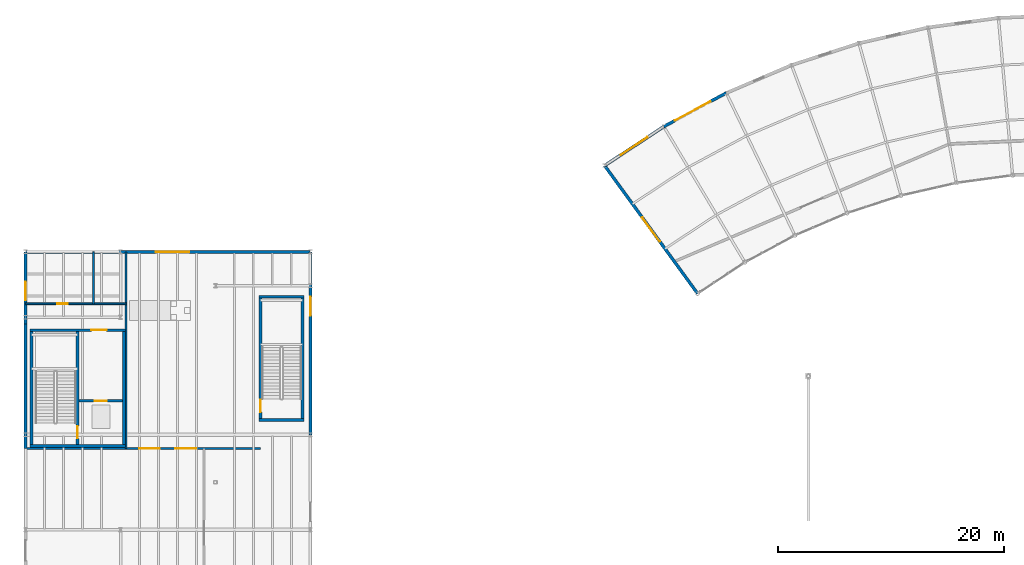
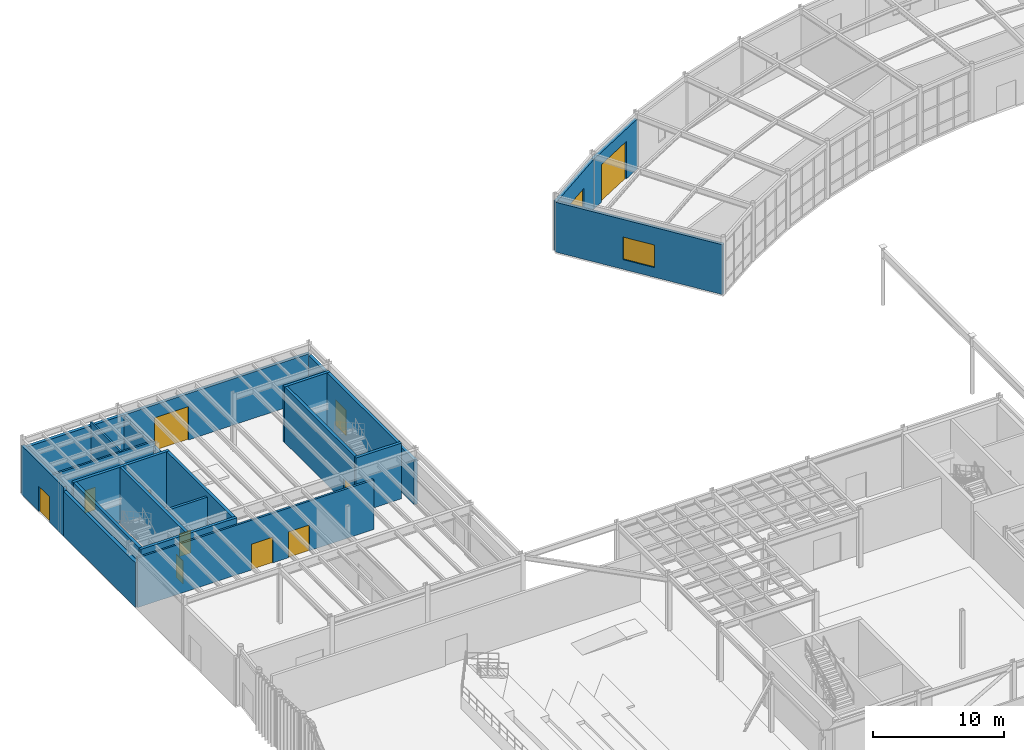
# One storey, part 67 of 87: 21 walls, 11 doors, 2 windows, 13 openings.
"""IFC4 building model written with IfcOpenShell, lengths in metres."""

from ifc_helpers import new_model, si_unit, direction, frame, frame_2d, origin, place, context, subcontext, project, spatial, rectangle, extrude, material, layer, layer_set, type_object, element, fill, save


model = new_model("IFC4")

# Units and contexts
model_context = context("Model", 3, precision=1e-05, world=origin(), true_north=direction((0.0, 1.0)))
body_context = subcontext(model_context, "Body", "Model", "MODEL_VIEW")
ifc_project = project(units=[si_unit("LENGTHUNIT", "METRE"), si_unit("AREAUNIT", "SQUARE_METRE"), si_unit("VOLUMEUNIT", "CUBIC_METRE"), si_unit("PLANEANGLEUNIT", "RADIAN"), si_unit("MASSUNIT", "GRAM", prefix="KILO")], contexts=[model_context])

# Site, building, storey
site_placement = place(None, origin())
site = spatial("IfcSite", under=ifc_project, at=site_placement, CompositionType="ELEMENT")
building_placement = place(site_placement, origin())
building = spatial("IfcBuilding", under=site, at=building_placement, Name="Selat Folded Stagehouse", CompositionType="ELEMENT")
storey_placement = place(building_placement, origin())
storey = spatial("IfcBuildingStorey", under=building, at=storey_placement, Name="L00", CompositionType="ELEMENT", Elevation=0.0)

# Wall, openings, doors
ifc_material_1 = material(Name="Concrete C40/50", Category="concrete")
ifc_layer_1 = layer(ifc_material_1, 0.179931640625)
ifc_layer_set_1 = layer_set([ifc_layer_1], Name="Concrete C40/50")
wall_type_1 = type_object("IfcWallType", Name="WAL-COMP-180", PredefinedType="STANDARD", material=ifc_layer_set_1)
wall_1_placement = place(storey_placement, frame((0.0, 69.60009765625, 0.0), z_axis=(0.0, 0.0, 1.0), x_axis=(1.0, 0.0, 0.0)))
wall_1 = element("IfcWall", 1, at=wall_1_placement, inside=storey, type_object=wall_type_1, Name="L00 interior partition wall 034", PredefinedType="STANDARD", context=body_context, shape_type="SweptSolid", body=[
    extrude(rectangle(XDim=20.780029296875, YDim=0.179931640625, at=frame_2d((10.39013671875, 0.0))), origin(), (0.0, 0.0, 1.0), 4.622314453125),
])
opening_1_placement = place(wall_1_placement, frame((10.032958984375, 0.0, 0.0)))
opening_1 = element("IfcOpeningElement", 2, at=opening_1_placement, cuts=wall_1, Name="Opening WD-02", PredefinedType="OPENING", context=body_context, shape_type="SweptSolid", body=[
    extrude(rectangle(XDim=1.85009765625, YDim=2.39990234375, at=frame_2d((0.925048828125, 1.199951171875))), frame((0.0, 0.099853515625, 0.0), z_axis=(0.0, -1.0, 0.0), x_axis=(1.0, 0.0, 0.0)), (0.0, 0.0, 1.0), 0.199951171875),
])
opening_2_placement = place(wall_1_placement, frame((13.2509765625, 0.0, 0.0)))
opening_2 = element("IfcOpeningElement", 3, at=opening_2_placement, cuts=wall_1, Name="Opening WD-02", PredefinedType="OPENING", context=body_context, shape_type="SweptSolid", body=[
    extrude(rectangle(XDim=1.85009765625, YDim=2.39990234375, at=frame_2d((0.925048828125, 1.199951171875))), frame((0.0, 0.099853515625, 0.0), z_axis=(0.0, -1.0, 0.0), x_axis=(1.0, 0.0, 0.0)), (0.0, 0.0, 1.0), 0.199951171875),
])
ifc_material_2 = material(Name="Wardrobe and props double door", Category="wood")
door_type_1 = type_object("IfcDoorType", Name="DOR-WK-1850", OperationType="NOTDEFINED", PredefinedType="DOOR", material=ifc_material_2)
door_1_placement = place(opening_1_placement, origin())
door_1 = element("IfcDoor", 4, at=door_1_placement, inside=storey, type_object=door_type_1, Name="L00 interior door IWAL-L00-034-1", OperationType="SINGLE_SWING_LEFT", OverallHeight=2.39990234375, OverallWidth=1.85009765625, PredefinedType="DOOR", context=body_context, shape_type="SweptSolid", body=[
    extrude(rectangle(XDim=1.85009765625, YDim=2.39990234375, at=frame_2d((0.925048828125, 1.199951171875))), frame((0.0, 0.02490234375, 0.0), z_axis=(0.0, -1.0, 0.0), x_axis=(1.0, 0.0, 0.0)), (0.0, 0.0, 1.0), 0.050048828125),
])
fill(opening_1, door_1)
door_2_placement = place(opening_2_placement, origin())
door_2 = element("IfcDoor", 5, at=door_2_placement, inside=storey, type_object=door_type_1, Name="L00 interior door IWAL-L00-034-2", OperationType="SINGLE_SWING_RIGHT", OverallHeight=2.39990234375, OverallWidth=1.85009765625, PredefinedType="DOOR", context=body_context, shape_type="SweptSolid", body=[
    extrude(rectangle(XDim=1.85009765625, YDim=2.39990234375, at=frame_2d((0.925048828125, 1.199951171875))), frame((0.0, 0.02490234375, 0.0), z_axis=(0.0, -1.0, 0.0), x_axis=(1.0, 0.0, 0.0)), (0.0, 0.0, 1.0), 0.050048828125),
])
fill(opening_2, door_2)

# Wall
wall_2_placement = place(storey_placement, frame((8.89990234375, 69.60009765625, 0.0), z_axis=(0.0, 0.0, 1.0), x_axis=(0.0, 1.0, 0.0)))
element("IfcWall", 6, at=wall_2_placement, inside=storey, type_object=wall_type_1, Name="L00 interior partition wall 035", PredefinedType="STANDARD", context=body_context, shape_type="SweptSolid", body=[
    extrude(rectangle(XDim=17.39990234375, YDim=0.179931640625, at=frame_2d((8.699951171875, 0.0))), origin(), (0.0, 0.0, 1.0), 4.15380859375),
])

# Wall, opening, door
ifc_layer_2 = layer(ifc_material_1, 0.215087890625)
ifc_layer_set_2 = layer_set([ifc_layer_2], Name="Concrete C40/50")
wall_type_2 = type_object("IfcWallType", Name="WAL-COMP-215", PredefinedType="STANDARD", material=ifc_layer_set_2)
wall_3_placement = place(storey_placement, frame((4.739990234375, 73.800048828125, 0.0), z_axis=(0.0, 0.0, 1.0), x_axis=(1.0, 0.0, 0.0)))
wall_3 = element("IfcWall", 7, at=wall_3_placement, inside=storey, type_object=wall_type_2, Name="L00 PL-04 lift shaft front wall", PredefinedType="STANDARD", context=body_context, shape_type="SweptSolid", body=[
    extrude(rectangle(XDim=3.81494140625, YDim=0.215087890625, at=frame_2d((1.907470703125, 0.0))), origin(), (0.0, 0.0, 1.0), 4.755615234375),
])
opening_3_placement = place(wall_3_placement, frame((1.382568359375, 0.0, 0.0)))
opening_3 = element("IfcOpeningElement", 8, at=opening_3_placement, cuts=wall_3, Name="Opening LD-03", PredefinedType="OPENING", context=body_context, shape_type="SweptSolid", body=[
    extrude(rectangle(XDim=1.050048828125, YDim=2.14990234375, at=frame_2d((0.52490234375, 1.074951171875))), frame((0.0, 0.117431640625, 0.0), z_axis=(0.0, -1.0, 0.0), x_axis=(1.0, 0.0, 0.0)), (0.0, 0.0, 1.0), 0.235107421875),
])
ifc_material_3 = material(Name="Passenger lift stainless sliding landing door", Category="wood")
door_type_2 = type_object("IfcDoorType", Name="DOR-LFT-1050", OperationType="NOTDEFINED", PredefinedType="DOOR", material=ifc_material_3)
door_3_placement = place(opening_3_placement, origin())
door_3 = element("IfcDoor", 9, at=door_3_placement, inside=storey, type_object=door_type_2, Name="L00 PL-04 lift sliding landing door", OperationType="SLIDING_TO_RIGHT", OverallHeight=2.14990234375, OverallWidth=1.050048828125, PredefinedType="DOOR", context=body_context, shape_type="SweptSolid", body=[
    extrude(rectangle(XDim=1.050048828125, YDim=2.14990234375, at=frame_2d((0.52490234375, 1.074951171875))), frame((0.0, 0.02490234375, 0.0), z_axis=(0.0, -1.0, 0.0), x_axis=(1.0, 0.0, 0.0)), (0.0, 0.0, 1.0), 0.050048828125),
])
fill(opening_3, door_3)

# Walls
ifc_material_4 = material(Name="Concrete C50/60", Category="concrete")
ifc_layer_3 = layer(ifc_material_4, 0.25)
ifc_layer_set_3 = layer_set([ifc_layer_3], Name="Concrete C50/60")
wall_type_3 = type_object("IfcWallType", Name="WAL-CORE-250", PredefinedType="SHEAR", material=ifc_layer_set_3)
for number, where, z_axis, x_axis, name in (
    (10, (24.64501953125, 72.1201171875, 0.0), (0.0, 0.0, 1.0), (-1.0, 0.0, 0.0), "L00 ST-07 south shaft wall"),
    (11, (20.655029296875, 83.02001953125, 0.0), (0.0, 0.0, 1.0), (1.0, 0.0, 0.0), "L00 ST-07 north shaft wall"),
):
    element("IfcWall", number, at=place(storey_placement, frame(where, z_axis=z_axis, x_axis=x_axis)), inside=storey, type_object=wall_type_3, Name=name, PredefinedType="SHEAR", context=body_context, shape_type="SweptSolid", body=[
        extrude(rectangle(XDim=3.989990234375, YDim=0.25, at=frame_2d((1.9951171875, 0.0))), origin(), (0.0, 0.0, 1.0), 5.179931640625),
    ])

# Wall, opening, door
wall_4_placement = place(storey_placement, frame((20.780029296875, 72.2451171875, 0.0), z_axis=(0.0, 0.0, 1.0), x_axis=(0.0, 1.0, 0.0)))
wall_4 = element("IfcWall", 12, at=wall_4_placement, inside=storey, type_object=wall_type_3, Name="L00 ST-07 west shaft wall", PredefinedType="SHEAR", context=body_context, shape_type="SweptSolid", body=[
    extrude(rectangle(XDim=10.64990234375, YDim=0.25, at=frame_2d((5.324951171875, 0.0))), origin(), (0.0, 0.0, 1.0), 5.179931640625),
])
opening_4_placement = place(wall_4_placement, frame((0.550048828125, 0.0, 0.0)))
opening_4 = element("IfcOpeningElement", 13, at=opening_4_placement, cuts=wall_4, Name="Opening FD-60", PredefinedType="OPENING", context=body_context, shape_type="SweptSolid", body=[
    extrude(rectangle(XDim=1.10009765625, YDim=2.14990234375, at=frame_2d((0.550048828125, 1.074951171875))), frame((0.0, 0.135009765625, 0.0), z_axis=(0.0, -1.0, 0.0), x_axis=(1.0, 0.0, 0.0)), (0.0, 0.0, 1.0), 0.27001953125),
])
ifc_material_5 = material(Name="Fire-rated timber core door", Category="wood")
door_type_3 = type_object("IfcDoorType", Name="DOR-FIRE-60", OperationType="NOTDEFINED", PredefinedType="DOOR", material=ifc_material_5)
door_4_placement = place(opening_4_placement, origin())
door_4 = element("IfcDoor", 14, at=door_4_placement, inside=storey, type_object=door_type_3, Name="L00 ST-07 stair door", OperationType="SINGLE_SWING_LEFT", OverallHeight=2.14990234375, OverallWidth=1.10009765625, PredefinedType="DOOR", context=body_context, shape_type="SweptSolid", body=[
    extrude(rectangle(XDim=1.10009765625, YDim=2.14990234375, at=frame_2d((0.550048828125, 1.074951171875))), frame((0.0, 0.02490234375, 0.0), z_axis=(0.0, -1.0, 0.0), x_axis=(1.0, 0.0, 0.0)), (0.0, 0.0, 1.0), 0.050048828125),
])
fill(opening_4, door_4)

# Walls
wall_5_placement = place(storey_placement, frame((24.52001953125, 82.89501953125, 0.0), z_axis=(0.0, 0.0, 1.0), x_axis=(0.0, -1.0, 0.0)))
element("IfcWall", 15, at=wall_5_placement, inside=storey, type_object=wall_type_3, Name="L00 ST-07 east shaft wall", PredefinedType="SHEAR", context=body_context, shape_type="SweptSolid", body=[
    extrude(rectangle(XDim=10.64990234375, YDim=0.25, at=frame_2d((5.324951171875, 0.0))), origin(), (0.0, 0.0, 1.0), 5.179931640625),
])
wall_6_placement = place(storey_placement, frame((8.824951171875, 69.800048828125, 0.0), z_axis=(0.0, 0.0, 1.0), x_axis=(-1.0, 0.0, 0.0)))
element("IfcWall", 16, at=wall_6_placement, inside=storey, type_object=wall_type_3, Name="L00 CR-5 south shear wall", PredefinedType="SHEAR", context=body_context, shape_type="SweptSolid", body=[
    extrude(rectangle(XDim=8.449951171875, YDim=0.25, at=frame_2d((4.22509765625, 0.0))), origin(), (0.0, 0.0, 1.0), 5.179931640625),
])

# Wall, opening, door
wall_7_placement = place(storey_placement, frame((0.375, 80.06005859375, 0.0), z_axis=(0.0, 0.0, 1.0), x_axis=(1.0, 0.0, 0.0)))
wall_7 = element("IfcWall", 17, at=wall_7_placement, inside=storey, type_object=wall_type_3, Name="L00 CR-5 north shear wall", PredefinedType="SHEAR", context=body_context, shape_type="SweptSolid", body=[
    extrude(rectangle(XDim=8.449951171875, YDim=0.25, at=frame_2d((4.22509765625, 0.0))), origin(), (0.0, 0.0, 1.0), 5.179931640625),
])
opening_5_placement = place(wall_7_placement, frame((5.449951171875, 0.0, 0.0)))
opening_5 = element("IfcOpeningElement", 18, at=opening_5_placement, cuts=wall_7, Name="Opening FD-60B", PredefinedType="OPENING", context=body_context, shape_type="SweptSolid", body=[
    extrude(rectangle(XDim=1.35009765625, YDim=2.14990234375, at=frame_2d((0.675048828125, 1.074951171875))), frame((0.0, 0.135009765625, 0.0), z_axis=(0.0, -1.0, 0.0), x_axis=(1.0, 0.0, 0.0)), (0.0, 0.0, 1.0), 0.27001953125),
])
ifc_material_6 = material(Name="Protected stair escape door", Category="wood")
door_type_4 = type_object("IfcDoorType", Name="DOR-STR-1350", OperationType="NOTDEFINED", PredefinedType="DOOR", material=ifc_material_6)
door_5_placement = place(opening_5_placement, origin())
door_5 = element("IfcDoor", 19, at=door_5_placement, inside=storey, type_object=door_type_4, Name="L00 CR-5 core lobby fire door", OperationType="SINGLE_SWING_RIGHT", OverallHeight=2.14990234375, OverallWidth=1.35009765625, PredefinedType="DOOR", context=body_context, shape_type="SweptSolid", body=[
    extrude(rectangle(XDim=1.35009765625, YDim=2.14990234375, at=frame_2d((0.675048828125, 1.074951171875))), frame((0.0, 0.02490234375, 0.0), z_axis=(0.0, -1.0, 0.0), x_axis=(1.0, 0.0, 0.0)), (0.0, 0.0, 1.0), 0.050048828125),
])
fill(opening_5, door_5)

# Walls
for number, where, z_axis, x_axis, name in (
    (20, (0.5, 69.925048828125, 0.0), (0.0, 0.0, 1.0), (0.0, 1.0, 0.0), "L00 CR-5 west shear wall"),
    (21, (8.699951171875, 79.93505859375, 0.0), (0.0, 0.0, 1.0), (0.0, -1.0, 0.0), "L00 CR-5 east shear wall"),
):
    element("IfcWall", number, at=place(storey_placement, frame(where, z_axis=z_axis, x_axis=x_axis)), inside=storey, type_object=wall_type_3, Name=name, PredefinedType="SHEAR", context=body_context, shape_type="SweptSolid", body=[
        extrude(rectangle(XDim=10.010009765625, YDim=0.25, at=frame_2d((5.0048828125, 0.0))), origin(), (0.0, 0.0, 1.0), 5.179931640625),
    ])

# Wall, opening, door
wall_8_placement = place(storey_placement, frame((4.580078125, 79.93505859375, 0.0), z_axis=(0.0, 0.0, 1.0), x_axis=(0.0, -1.0, 0.0)))
wall_8 = element("IfcWall", 22, at=wall_8_placement, inside=storey, type_object=wall_type_3, Name="L00 CR-5 internal core divider wall", PredefinedType="SHEAR", context=body_context, shape_type="SweptSolid", body=[
    extrude(rectangle(XDim=10.010009765625, YDim=0.25, at=frame_2d((5.0048828125, 0.0))), origin(), (0.0, 0.0, 1.0), 5.179931640625),
])
opening_6_placement = place(wall_8_placement, frame((8.360107421875, 0.0, 0.0)))
opening_6 = element("IfcOpeningElement", 23, at=opening_6_placement, cuts=wall_8, Name="Opening FD-60", PredefinedType="OPENING", context=body_context, shape_type="SweptSolid", body=[
    extrude(rectangle(XDim=1.10009765625, YDim=2.14990234375, at=frame_2d((0.550048828125, 1.074951171875))), frame((0.0, 0.135009765625, 0.0), z_axis=(0.0, -1.0, 0.0), x_axis=(1.0, 0.0, 0.0)), (0.0, 0.0, 1.0), 0.27001953125),
])
door_6_placement = place(opening_6_placement, origin())
door_6 = element("IfcDoor", 24, at=door_6_placement, inside=storey, type_object=door_type_3, Name="L00 CR-5 protected stair fire door", OperationType="SINGLE_SWING_LEFT", OverallHeight=2.14990234375, OverallWidth=1.10009765625, PredefinedType="DOOR", context=body_context, shape_type="SweptSolid", body=[
    extrude(rectangle(XDim=1.10009765625, YDim=2.14990234375, at=frame_2d((0.550048828125, 1.074951171875))), frame((0.0, 0.02490234375, 0.0), z_axis=(0.0, -1.0, 0.0), x_axis=(1.0, 0.0, 0.0)), (0.0, 0.0, 1.0), 0.050048828125),
])
fill(opening_6, door_6)

# Wall
ifc_material_7 = material(Name="Precast concrete C40/50", Category="concrete")
ifc_layer_4 = layer(ifc_material_7, 0.27490234375)
ifc_layer_set_4 = layer_set([ifc_layer_4], Name="Precast concrete C40/50")
wall_type_4 = type_object("IfcWallType", Name="WAL-EXT-275", PredefinedType="STANDARD", material=ifc_layer_set_4)
wall_9_placement = place(storey_placement, frame((0.0, 69.60009765625, 0.0), z_axis=(0.0, 0.0, 1.0), x_axis=(0.0, 1.0, 0.0)))
element("IfcWall", 25, at=wall_9_placement, inside=storey, type_object=wall_type_4, Name="L00 exterior facade wall EW-L00-V4W-2", PredefinedType="STANDARD", context=body_context, shape_type="SweptSolid", body=[
    extrude(rectangle(XDim=11.0, YDim=0.27490234375, at=frame_2d((5.5, 0.0))), origin(), (0.0, 0.0, 1.0), 4.15380859375),
])

# Wall, opening, door
wall_10_placement = place(storey_placement, frame((0.0, 80.60009765625, 0.0), z_axis=(0.0, 0.0, 1.0), x_axis=(0.0, 1.0, 0.0)))
wall_10 = element("IfcWall", 26, at=wall_10_placement, inside=storey, type_object=wall_type_4, Name="L00 exterior facade wall EW-L00-V4W-3", PredefinedType="STANDARD", context=body_context, shape_type="SweptSolid", body=[
    extrude(rectangle(XDim=6.39990234375, YDim=0.27490234375, at=frame_2d((3.199951171875, 0.0))), origin(), (0.0, 0.0, 1.0), 4.544921875),
])
opening_7_placement = place(wall_10_placement, frame((2.10009765625, 0.0, 0.0)))
opening_7 = element("IfcOpeningElement", 27, at=opening_7_placement, cuts=wall_10, Name="Opening ED-05", PredefinedType="OPENING", context=body_context, shape_type="SweptSolid", body=[
    extrude(rectangle(XDim=1.64990234375, YDim=2.35009765625, at=frame_2d((0.824951171875, 1.175048828125))), frame((0.0, 0.1474609375, 0.0), z_axis=(0.0, -1.0, 0.0), x_axis=(1.0, 0.0, 0.0)), (0.0, 0.0, 1.0), 0.294921875),
])
ifc_material_8 = material(Name="Powder-coated steel and laminated safety glass", Category="steel")
door_type_5 = type_object("IfcDoorType", Name="DOR-EXT-1650x2350", OperationType="NOTDEFINED", PredefinedType="DOOR", material=ifc_material_8)
door_7_placement = place(opening_7_placement, origin())
door_7 = element("IfcDoor", 28, at=door_7_placement, inside=storey, type_object=door_type_5, Name="L00 exterior door EW-L00-V4W-3-1", OperationType="SINGLE_SWING_LEFT", OverallHeight=2.35009765625, OverallWidth=1.64990234375, PredefinedType="DOOR", context=body_context, shape_type="SweptSolid", body=[
    extrude(rectangle(XDim=1.64990234375, YDim=2.35009765625, at=frame_2d((0.824951171875, 1.175048828125))), frame((0.0, 0.02490234375, 0.0), z_axis=(0.0, -1.0, 0.0), x_axis=(1.0, 0.0, 0.0)), (0.0, 0.0, 1.0), 0.050048828125),
])
fill(opening_7, door_7)

wall_11_placement = place(storey_placement, frame((0.0, 87.0, 0.0), z_axis=(0.0, 0.0, 1.0), x_axis=(1.0, 0.0, 0.0)))
wall_11 = element("IfcWall", 29, at=wall_11_placement, inside=storey, type_object=wall_type_4, Name="L00 exterior facade wall EW-L00-V4N", PredefinedType="STANDARD", context=body_context, shape_type="SweptSolid", body=[
    extrude(rectangle(XDim=25.199951171875, YDim=0.27490234375, at=frame_2d((12.60009765625, 0.0))), origin(), (0.0, 0.0, 1.0), 4.311279296875),
])
opening_8_placement = place(wall_11_placement, frame((11.5, 0.0, 0.0)))
opening_8 = element("IfcOpeningElement", 30, at=opening_8_placement, cuts=wall_11, Name="Opening RS-04", PredefinedType="OPENING", context=body_context, shape_type="SweptSolid", body=[
    extrude(rectangle(XDim=3.0, YDim=3.10009765625, at=frame_2d((1.5, 1.550048828125))), frame((0.0, 0.1474609375, 0.0), z_axis=(0.0, -1.0, 0.0), x_axis=(1.0, 0.0, 0.0)), (0.0, 0.0, 1.0), 0.294921875),
])
ifc_material_9 = material(Name="Galvanised acoustic steel", Category="steel")
door_type_6 = type_object("IfcDoorType", Name="GAT-SCN-3000x3100", OperationType="NOTDEFINED", PredefinedType="GATE", material=ifc_material_9)
door_8_placement = place(opening_8_placement, origin())
door_8 = element("IfcDoor", 31, at=door_8_placement, inside=storey, type_object=door_type_6, Name="L00 exterior door EW-L00-V4N-1", OperationType="ROLLINGUP", OverallHeight=3.10009765625, OverallWidth=3.0, PredefinedType="GATE", context=body_context, shape_type="SweptSolid", body=[
    extrude(rectangle(XDim=3.0, YDim=3.10009765625, at=frame_2d((1.5, 1.550048828125))), frame((0.0, 0.02490234375, 0.0), z_axis=(0.0, -1.0, 0.0), x_axis=(1.0, 0.0, 0.0)), (0.0, 0.0, 1.0), 0.050048828125),
])
fill(opening_8, door_8)

wall_12_placement = place(storey_placement, frame((25.199951171875, 87.0, 0.0), z_axis=(0.0, 0.0, 1.0), x_axis=(0.0, -1.0, 0.0)))
wall_12 = element("IfcWall", 32, at=wall_12_placement, inside=storey, type_object=wall_type_4, Name="L00 exterior facade wall EW-L00-V4E-1", PredefinedType="STANDARD", context=body_context, shape_type="SweptSolid", body=[
    extrude(rectangle(XDim=16.199951171875, YDim=0.27490234375, at=frame_2d((8.10009765625, 0.0))), origin(), (0.0, 0.0, 1.0), 4.15380859375),
])
opening_9_placement = place(wall_12_placement, frame((4.0, 0.0, 0.0)))
opening_9 = element("IfcOpeningElement", 33, at=opening_9_placement, cuts=wall_12, Name="Opening ED-05", PredefinedType="OPENING", context=body_context, shape_type="SweptSolid", body=[
    extrude(rectangle(XDim=1.64990234375, YDim=2.35009765625, at=frame_2d((0.824951171875, 1.175048828125))), frame((0.0, 0.1474609375, 0.0), z_axis=(0.0, -1.0, 0.0), x_axis=(1.0, 0.0, 0.0)), (0.0, 0.0, 1.0), 0.294921875),
])
door_9_placement = place(opening_9_placement, origin())
door_9 = element("IfcDoor", 34, at=door_9_placement, inside=storey, type_object=door_type_5, Name="L00 exterior door EW-L00-V4E-1-1", OperationType="SINGLE_SWING_LEFT", OverallHeight=2.35009765625, OverallWidth=1.64990234375, PredefinedType="DOOR", context=body_context, shape_type="SweptSolid", body=[
    extrude(rectangle(XDim=1.64990234375, YDim=2.35009765625, at=frame_2d((0.824951171875, 1.175048828125))), frame((0.0, 0.02490234375, 0.0), z_axis=(0.0, -1.0, 0.0), x_axis=(1.0, 0.0, 0.0)), (0.0, 0.0, 1.0), 0.050048828125),
])
fill(opening_9, door_9)

# Wall, opening, window
wall_13_placement = place(storey_placement, frame((59.48388671875, 83.304931640625, 0.0), z_axis=(0.0, 0.0, 1.0), x_axis=(-0.587787980643, 0.809015012105, 0.0)))
wall_13 = element("IfcWall", 35, at=wall_13_placement, inside=storey, type_object=wall_type_4, Name="L00 exterior facade wall EW-L00-V6W", PredefinedType="STANDARD", context=body_context, shape_type="SweptSolid", body=[
    extrude(rectangle(XDim=14.0, YDim=0.27490234375, at=frame_2d((7.0, 0.0))), origin(), (0.0, 0.0, 1.0), 4.638916015625),
])
opening_10_placement = place(wall_13_placement, frame((5.675048828125, 0.0, 0.89990234375)))
opening_10 = element("IfcOpeningElement", 36, at=opening_10_placement, cuts=wall_13, Name="Opening WN-16", PredefinedType="OPENING", context=body_context, shape_type="SweptSolid", body=[
    extrude(rectangle(XDim=2.64990234375, YDim=2.10009765625, at=frame_2d((1.324951171875, 1.050048828125))), frame((0.0, 0.1474609375, 0.0), z_axis=(0.0, -1.0, 0.0), x_axis=(1.0, 0.0, 0.0)), (0.0, 0.0, 1.0), 0.294921875),
])
ifc_material_10 = material(Name="Thermally broken aluminium and acoustic low-E glass", Category="aluminium")
window_type_1 = type_object("IfcWindowType", Name="WIN-RH-2650x2100", PartitioningType="SINGLE_PANEL", PredefinedType="WINDOW", material=ifc_material_10)
window_1_placement = place(opening_10_placement, origin())
window_1 = element("IfcWindow", 37, at=window_1_placement, inside=storey, type_object=window_type_1, Name="L00 exterior window EW-L00-V6W-1", OverallHeight=2.10009765625, OverallWidth=2.64990234375, PartitioningType="SINGLE_PANEL", PredefinedType="WINDOW", context=body_context, shape_type="SweptSolid", body=[
    extrude(rectangle(XDim=2.64990234375, YDim=2.10009765625, at=frame_2d((1.324951171875, 1.050048828125))), frame((0.0, 0.030029296875, 0.0), z_axis=(0.0, -1.0, 0.0), x_axis=(1.0, 0.0, 0.0)), (0.0, 0.0, 1.0), 0.06005859375),
])
fill(opening_10, window_1)

wall_14_placement = place(storey_placement, frame((51.2548828125, 94.631103515625, 0.0), z_axis=(0.0, 0.0, 1.0), x_axis=(0.834582959038, 0.550882278244, 0.0)))
wall_14 = element("IfcWall", 38, at=wall_14_placement, inside=storey, type_object=wall_type_4, Name="L00 exterior facade wall EW-L00-V6OUT-00", PredefinedType="STANDARD", context=body_context, shape_type="SweptSolid", body=[
    extrude(rectangle(XDim=6.28125, YDim=0.27490234375, at=frame_2d((3.140625, 0.0))), origin(), (0.0, 0.0, 1.0), 4.638916015625),
])
opening_11_placement = place(wall_14_placement, frame((1.715576171875, 0.0, 0.89990234375)))
opening_11 = element("IfcOpeningElement", 39, at=opening_11_placement, cuts=wall_14, Name="Opening WN-15", PredefinedType="OPENING", context=body_context, shape_type="SweptSolid", body=[
    extrude(rectangle(XDim=2.85009765625, YDim=2.10009765625, at=frame_2d((1.425048828125, 1.050048828125))), frame((0.0, 0.1474609375, 0.0), z_axis=(0.0, -1.0, 0.0), x_axis=(1.0, 0.0, 0.0)), (0.0, 0.0, 1.0), 0.294921875),
])
window_type_2 = type_object("IfcWindowType", Name="WIN-RH-2850x2100", PartitioningType="SINGLE_PANEL", PredefinedType="WINDOW", material=ifc_material_10)
window_2_placement = place(opening_11_placement, origin())
window_2 = element("IfcWindow", 40, at=window_2_placement, inside=storey, type_object=window_type_2, Name="L00 exterior window EW-L00-V6OUT-00-1", OverallHeight=2.10009765625, OverallWidth=2.85009765625, PartitioningType="SINGLE_PANEL", PredefinedType="WINDOW", context=body_context, shape_type="SweptSolid", body=[
    extrude(rectangle(XDim=2.85009765625, YDim=2.10009765625, at=frame_2d((1.425048828125, 1.050048828125))), frame((0.0, 0.030029296875, 0.0), z_axis=(0.0, -1.0, 0.0), x_axis=(1.0, 0.0, 0.0)), (0.0, 0.0, 1.0), 0.06005859375),
])
fill(opening_11, window_2)

# Wall, opening, door
wall_15_placement = place(storey_placement, frame((56.4970703125, 98.09130859375, 0.0), z_axis=(0.0, 0.0, 1.0), x_axis=(0.880582156138, 0.473893517883, 0.0)))
wall_15 = element("IfcWall", 41, at=wall_15_placement, inside=storey, type_object=wall_type_4, Name="L00 exterior facade wall EW-L00-V6OUT-01", PredefinedType="STANDARD", context=body_context, shape_type="SweptSolid", body=[
    extrude(rectangle(XDim=6.281005859375, YDim=0.27490234375, at=frame_2d((3.140625, 0.0))), origin(), (0.0, 0.0, 1.0), 4.638916015625),
])
opening_12_placement = place(wall_15_placement, frame((1.10009765625, 0.0, 0.0)))
opening_12 = element("IfcOpeningElement", 42, at=opening_12_placement, cuts=wall_15, Name="Opening RS-03", PredefinedType="OPENING", context=body_context, shape_type="SweptSolid", body=[
    extrude(rectangle(XDim=3.60009765625, YDim=3.5, at=frame_2d((1.800048828125, 1.75))), frame((0.0, 0.1474609375, 0.0), z_axis=(0.0, -1.0, 0.0), x_axis=(1.0, 0.0, 0.0)), (0.0, 0.0, 1.0), 0.294921875),
])
door_type_7 = type_object("IfcDoorType", Name="GAT-SCN-3600x3500", OperationType="NOTDEFINED", PredefinedType="GATE", material=ifc_material_9)
door_10_placement = place(opening_12_placement, origin())
door_10 = element("IfcDoor", 43, at=door_10_placement, inside=storey, type_object=door_type_7, Name="L00 exterior door EW-L00-V6OUT-01-1", OperationType="ROLLINGUP", OverallHeight=3.5, OverallWidth=3.60009765625, PredefinedType="GATE", context=body_context, shape_type="SweptSolid", body=[
    extrude(rectangle(XDim=3.60009765625, YDim=3.5, at=frame_2d((1.800048828125, 1.75))), frame((0.0, 0.02490234375, 0.0), z_axis=(0.0, -1.0, 0.0), x_axis=(1.0, 0.0, 0.0)), (0.0, 0.0, 1.0), 0.050048828125),
])
fill(opening_12, door_10)

ifc_material_11 = material(Name="Moisture-resistant sanitary service wall", Category="gypsum")
ifc_layer_5 = layer(ifc_material_11, 0.159912109375)
ifc_layer_set_5 = layer_set([ifc_layer_5], Name="Moisture-resistant sanitary service wall")
wall_type_5 = type_object("IfcWallType", Name="WAL-PLMB-160", PredefinedType="PLUMBINGWALL", material=ifc_layer_set_5)
wall_16_placement = place(storey_placement, frame((0.0, 82.39990234375, 0.0), z_axis=(0.0, 0.0, 1.0), x_axis=(1.0, 0.0, 0.0)))
wall_16 = element("IfcWall", 44, at=wall_16_placement, inside=storey, type_object=wall_type_5, Name="L00 interior partition wall 036", PredefinedType="PLUMBINGWALL", context=body_context, shape_type="SweptSolid", body=[
    extrude(rectangle(XDim=8.89990234375, YDim=0.159912109375, at=frame_2d((4.449951171875, 0.0))), origin(), (0.0, 0.0, 1.0), 4.622314453125),
])
opening_13_placement = place(wall_16_placement, frame((2.782470703125, 0.0, 0.0)))
opening_13 = element("IfcOpeningElement", 45, at=opening_13_placement, cuts=wall_16, Name="Opening ID-04", PredefinedType="OPENING", context=body_context, shape_type="SweptSolid", body=[
    extrude(rectangle(XDim=0.949951171875, YDim=2.10009765625, at=frame_2d((0.47509765625, 1.050048828125))), frame((0.0, 0.08984375, 0.0), z_axis=(0.0, -1.0, 0.0), x_axis=(1.0, 0.0, 0.0)), (0.0, 0.0, 1.0), 0.179931640625),
])
ifc_material_12 = material(Name="Accessible toilet outward-opening door", Category="wood")
door_type_8 = type_object("IfcDoorType", Name="DOR-WC-0950", OperationType="NOTDEFINED", PredefinedType="DOOR", material=ifc_material_12)
door_11_placement = place(opening_13_placement, origin())
door_11 = element("IfcDoor", 46, at=door_11_placement, inside=storey, type_object=door_type_8, Name="L00 interior door IWAL-L00-036-1", OperationType="SINGLE_SWING_LEFT", OverallHeight=2.10009765625, OverallWidth=0.949951171875, PredefinedType="DOOR", context=body_context, shape_type="SweptSolid", body=[
    extrude(rectangle(XDim=0.949951171875, YDim=2.10009765625, at=frame_2d((0.47509765625, 1.050048828125))), frame((0.0, 0.02490234375, 0.0), z_axis=(0.0, -1.0, 0.0), x_axis=(1.0, 0.0, 0.0)), (0.0, 0.0, 1.0), 0.050048828125),
])
fill(opening_13, door_11)

# Wall
wall_17_placement = place(storey_placement, frame((6.0, 82.39990234375, 0.0), z_axis=(0.0, 0.0, 1.0), x_axis=(0.0, 1.0, 0.0)))
element("IfcWall", 47, at=wall_17_placement, inside=storey, type_object=wall_type_5, Name="L00 interior partition wall 037", PredefinedType="PLUMBINGWALL", context=body_context, shape_type="SweptSolid", body=[
    extrude(rectangle(XDim=4.60009765625, YDim=0.159912109375, at=frame_2d((2.300048828125, 0.0))), origin(), (0.0, 0.0, 1.0), 4.62890625),
])

save(model, "model.ifc")
